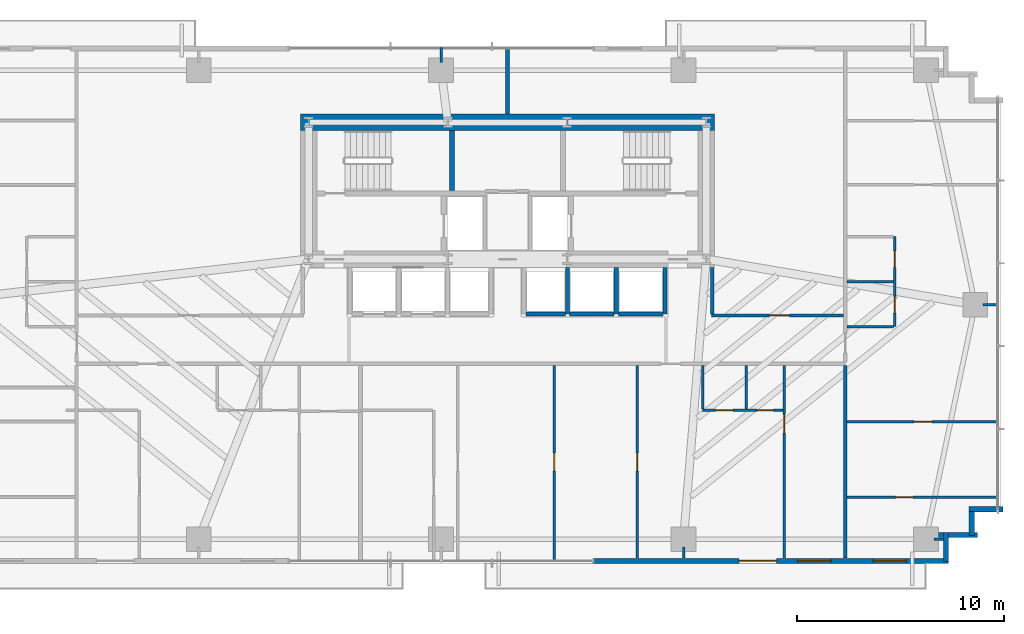
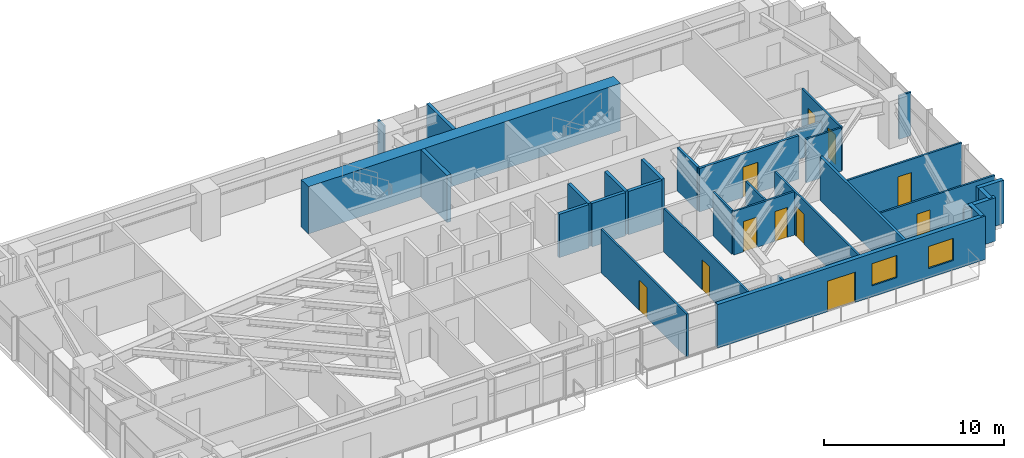
# One storey, part 21 of 25: 32 walls, 11 doors, 2 windows, 13 openings.
"""IFC4 building model written with IfcOpenShell, lengths in metres."""

from ifc_helpers import new_model, si_unit, direction, frame, frame_2d, origin, place, context, subcontext, project, spatial, rectangle, extrude, source, transform, mapped, material, layer, layer_set, type_object, type_shapes, element, fill, save


model = new_model("IFC4")

# Units and contexts
model_context = context("Model", 3, precision=1e-05, world=origin(), true_north=direction((0.0, 1.0)))
body_context = subcontext(model_context, "Body", "Model", "MODEL_VIEW")
ifc_project = project(units=[si_unit("LENGTHUNIT", "METRE"), si_unit("AREAUNIT", "SQUARE_METRE"), si_unit("VOLUMEUNIT", "CUBIC_METRE"), si_unit("PLANEANGLEUNIT", "RADIAN"), si_unit("MASSUNIT", "GRAM", prefix="KILO")], contexts=[model_context])

# Site, building, storey
site_placement = place(None, origin())
site = spatial("IfcSite", under=ifc_project, at=site_placement, CompositionType="ELEMENT")
building_placement = place(site_placement, origin())
building = spatial("IfcBuilding", under=site, at=building_placement, Name="Astriad Promenade Condominiums", CompositionType="ELEMENT")
storey_placement = place(building_placement, frame((0.0, 0.0, 26.199951171875)))
storey = spatial("IfcBuildingStorey", under=building, at=storey_placement, Name="L06", CompositionType="ELEMENT", Elevation=26.199951171875)

# Walls
ifc_material_1 = material(Name="Concrete C80/95", Category="concrete")
ifc_layer_1 = layer(ifc_material_1, 0.800048828125)
ifc_layer_set_1 = layer_set([ifc_layer_1], Name="Concrete C80/95")
wall_type_1 = type_object("IfcWallType", Name="CW-SHEAR-800", PredefinedType="SHEAR", material=ifc_layer_set_1)
wall_1_placement = place(storey_placement, frame((26.0, 24.0, 0.0), z_axis=(0.0, 0.0, 1.0), x_axis=(1.0, 0.0, 0.0)))
element("IfcWall", 1, at=wall_1_placement, inside=storey, type_object=wall_type_1, Name="CW-CORE-N-L06", PredefinedType="SHEAR", context=body_context, shape_type="SweptSolid", body=[
    extrude(rectangle(XDim=20.0, YDim=0.800048828125, at=frame_2d((10.0, 0.0))), origin(), (0.0, 0.0, 1.0), 3.199951171875),
])
ifc_material_2 = material(Name="Concrete C50/60", Category="concrete")
ifc_layer_2 = layer(ifc_material_2, 0.25)
ifc_layer_set_2 = layer_set([ifc_layer_2], Name="Concrete C50/60")
wall_type_2 = type_object("IfcWallType", Name="WALL-CORE-INT-250", PredefinedType="SOLIDWALL", material=ifc_layer_set_2)
wall_2_placement = place(storey_placement, frame((33.324951171875, 20.701904296875, 0.0), z_axis=(0.0, 0.0, 1.0), x_axis=(0.0, 1.0, 0.0)))
element("IfcWall", 2, at=wall_2_placement, inside=storey, type_object=wall_type_2, Name="CW-ST1-E-L06", PredefinedType="SOLIDWALL", context=body_context, shape_type="SweptSolid", body=[
    extrude(rectangle(XDim=2.89599609375, YDim=0.25, at=frame_2d((1.447998046875, 0.0))), origin(), (0.0, 0.0, 1.0), 3.199951171875),
])
ifc_material_3 = material(Name="Fire-Rated Gypsum Partition")
ifc_layer_3 = layer(ifc_material_3, 0.159912109375)
ifc_layer_set_3 = layer_set([ifc_layer_3], Name="Fire-Rated Gypsum Partition")
wall_type_3 = type_object("IfcWallType", Name="WALL-CORR-160", PredefinedType="PARTITIONING", material=ifc_layer_set_3)
wall_3_placement = place(storey_placement, frame((52.300048828125, 2.9619140625, 0.0), z_axis=(0.0, 0.0, 1.0), x_axis=(0.0, 1.0, 0.0)))
element("IfcWall", 3, at=wall_3_placement, inside=storey, type_object=wall_type_3, Name="PT-COR-E-L06", PredefinedType="PARTITIONING", context=body_context, shape_type="SweptSolid", body=[
    extrude(rectangle(XDim=9.30615234375, YDim=0.159912109375, at=frame_2d((4.653076171875, 0.0))), origin(), (0.0, 0.0, 1.0), 2.93994140625),
])

# Wall, opening, door
wall_4_placement = place(storey_placement, frame((45.840087890625, 14.679931640625, 0.0), z_axis=(0.0, 0.0, 1.0), x_axis=(1.0, 0.0, 0.0)))
wall_4 = element("IfcWall", 4, at=wall_4_placement, inside=storey, type_object=wall_type_3, Name="PT-FLK-NE-L06", PredefinedType="PARTITIONING", context=body_context, shape_type="SweptSolid", body=[
    extrude(rectangle(XDim=6.3779296875, YDim=0.159912109375, at=frame_2d((3.18896484375, 0.0))), origin(), (0.0, 0.0, 1.0), 2.93994140625),
])
opening_1_placement = place(wall_4_placement, frame((2.81494140625, 0.0, 0.0)))
opening_1 = element("IfcOpeningElement", 5, at=opening_1_placement, cuts=wall_4, Name="Opening FD60-APT-095", PredefinedType="OPENING", context=body_context, shape_type="SweptSolid", body=[
    extrude(rectangle(XDim=0.949951171875, YDim=2.06005859375, at=frame_2d((0.47509765625, 1.030029296875))), frame((0.0, 0.08984375, 0.0), z_axis=(0.0, -1.0, 0.0), x_axis=(1.0, 0.0, 0.0)), (0.0, 0.0, 1.0), 0.179931640625),
])
ifc_material_4 = material(Name="Solid-Core Acoustic Timber Residence Entry Door", Category="wood")
door_type_1 = type_object("IfcDoorType", Name="FD60-APT-095", OperationType="NOTDEFINED", PredefinedType="DOOR", material=ifc_material_4)
shared_shape_1 = source(origin(), body_context, "Body", "SweptSolid", [
    extrude(rectangle(XDim=0.949951171875, YDim=2.06005859375, at=frame_2d((0.47509765625, 1.030029296875))), frame((0.0, 0.02490234375, 0.0), z_axis=(0.0, -1.0, 0.0), x_axis=(1.0, 0.0, 0.0)), (0.0, 0.0, 1.0), 0.050048828125),
])
type_shapes(door_type_1, [shared_shape_1])
door_1_placement = place(opening_1_placement, origin())
door_1 = element("IfcDoor", 6, at=door_1_placement, inside=storey, type_object=door_type_1, Name="D-NEA-L06", OperationType="SINGLE_SWING_LEFT", OverallHeight=2.06005859375, OverallWidth=0.949951171875, PredefinedType="DOOR", context=body_context, shape_type="MappedRepresentation", body=[
    mapped(shared_shape_1, transform((0.0, 0.0, 0.0), scale=1.0)),
])
fill(opening_1, door_1)

# Walls
wall_5_placement = place(storey_placement, frame((45.8798828125, 14.761962890625, 0.0), z_axis=(0.0, 0.0, 1.0), x_axis=(0.0, 1.0, 0.0)))
element("IfcWall", 7, at=wall_5_placement, inside=storey, type_object=wall_type_3, Name="PT-ESPUR-E-L06", PredefinedType="PARTITIONING", context=body_context, shape_type="SweptSolid", body=[
    extrude(rectangle(XDim=2.236083984375, YDim=0.159912109375, at=frame_2d((1.1181640625, 0.0))), origin(), (0.0, 0.0, 1.0), 2.93994140625),
])
ifc_material_5 = material(Name="Acoustic Double-Stud Gypsum Partition")
ifc_layer_4 = layer(ifc_material_5, 0.199951171875)
ifc_layer_set_4 = layer_set([ifc_layer_4], Name="Acoustic Double-Stud Gypsum Partition")
wall_type_4 = type_object("IfcWallType", Name="WALL-DEMISING-200", PredefinedType="PARTITIONING", material=ifc_layer_set_4)
wall_6_placement = place(storey_placement, frame((36.0, 24.402099609375, 0.0), z_axis=(0.0, 0.0, 1.0), x_axis=(0.0, 1.0, 0.0)))
element("IfcWall", 8, at=wall_6_placement, inside=storey, type_object=wall_type_4, Name="PT-NC-MID-L06", PredefinedType="PARTITIONING", context=body_context, shape_type="SweptSolid", body=[
    extrude(rectangle(XDim=3.218017578125, YDim=0.199951171875, at=frame_2d((1.60888671875, 0.0))), origin(), (0.0, 0.0, 1.0), 2.93994140625),
])
ifc_material_6 = material(Name="Precast concrete C50/60", Category="concrete")
ifc_layer_5 = layer(ifc_material_6, 0.260009765625)
ifc_layer_set_5 = layer_set([ifc_layer_5], Name="Precast concrete C50/60")
wall_type_5 = type_object("IfcWallType", Name="WALL-EXT-TWR-260", PredefinedType="STANDARD", material=ifc_layer_set_5)
wall_7_placement = place(storey_placement, frame((59.929931640625, 5.330078125, 0.0), z_axis=(0.0, 0.0, 1.0), x_axis=(-1.0, 0.0, 0.0)))
element("IfcWall", 9, at=wall_7_placement, inside=storey, type_object=wall_type_5, Name="W-SER-L06-14", PredefinedType="STANDARD", context=body_context, shape_type="SweptSolid", body=[
    extrude(rectangle(XDim=1.639892578125, YDim=0.260009765625, at=frame_2d((0.81982421875, 0.0))), origin(), (0.0, 0.0, 1.0), 2.93994140625),
])
wall_8_placement = place(storey_placement, frame((58.419921875, 5.215087890625, 0.0), z_axis=(0.0, 0.0, 1.0), x_axis=(0.0, -1.0, 0.0)))
element("IfcWall", 10, at=wall_8_placement, inside=storey, type_object=wall_type_5, Name="W-SER-L06-15", PredefinedType="STANDARD", context=body_context, shape_type="SweptSolid", body=[
    extrude(rectangle(XDim=1.150146484375, YDim=0.260009765625, at=frame_2d((0.5751953125, 0.0))), origin(), (0.0, 0.0, 1.0), 2.93994140625),
])
wall_9_placement = place(storey_placement, frame((58.679931640625, 4.080078125, 0.0), z_axis=(0.0, 0.0, 1.0), x_axis=(-1.0, 0.0, 0.0)))
element("IfcWall", 11, at=wall_9_placement, inside=storey, type_object=wall_type_5, Name="W-SER-L06-16", PredefinedType="STANDARD", context=body_context, shape_type="SweptSolid", body=[
    extrude(rectangle(XDim=1.8779296875, YDim=0.260009765625, at=frame_2d((0.93896484375, 0.0))), origin(), (0.0, 0.0, 1.0), 2.93994140625),
])
wall_10_placement = place(storey_placement, frame((57.169921875, 4.2099609375, 0.0), z_axis=(0.0, 0.0, 1.0), x_axis=(0.0, -1.0, 0.0)))
element("IfcWall", 12, at=wall_10_placement, inside=storey, type_object=wall_type_5, Name="W-SER-L06-17", PredefinedType="STANDARD", context=body_context, shape_type="SweptSolid", body=[
    extrude(rectangle(XDim=1.39501953125, YDim=0.260009765625, at=frame_2d((0.697509765625, 0.0))), origin(), (0.0, 0.0, 1.0), 2.93994140625),
])

# Wall, openings, door, windows
wall_11_placement = place(storey_placement, frame((57.300048828125, 2.830078125, 0.0), z_axis=(0.0, 0.0, 1.0), x_axis=(-1.0, 0.0, 0.0)))
wall_11 = element("IfcWall", 13, at=wall_11_placement, inside=storey, type_object=wall_type_5, Name="W-EXT-L06-S1", PredefinedType="STANDARD", context=body_context, shape_type="SweptSolid", body=[
    extrude(rectangle(XDim=17.150146484375, YDim=0.260009765625, at=frame_2d((8.5751953125, 0.0))), origin(), (0.0, 0.0, 1.0), 2.93994140625),
])
opening_2_placement = place(wall_11_placement, frame((8.31396484375, 0.0, 0.0)))
opening_2 = element("IfcOpeningElement", 14, at=opening_2_placement, cuts=wall_11, Name="Opening BD-1822-SLD", PredefinedType="OPENING", context=body_context, shape_type="SweptSolid", body=[
    extrude(rectangle(XDim=1.800048828125, YDim=2.06005859375, at=frame_2d((0.89990234375, 1.030029296875))), frame((0.0, 0.139892578125, 0.0), z_axis=(0.0, -1.0, 0.0), x_axis=(1.0, 0.0, 0.0)), (0.0, 0.0, 1.0), 0.280029296875),
])
opening_3_placement = place(wall_11_placement, frame((2.050048828125, 0.0, 0.64990234375)))
opening_3 = element("IfcOpeningElement", 15, at=opening_3_placement, cuts=wall_11, Name="Opening WIN-TWR-1620", PredefinedType="OPENING", context=body_context, shape_type="SweptSolid", body=[
    extrude(rectangle(XDim=1.60009765625, YDim=1.5, at=frame_2d((0.800048828125, 0.75))), frame((0.0, 0.139892578125, 0.0), z_axis=(0.0, -1.0, 0.0), x_axis=(1.0, 0.0, 0.0)), (0.0, 0.0, 1.0), 0.280029296875),
])
opening_4_placement = place(wall_11_placement, frame((5.675048828125, 0.0, 0.75)))
opening_4 = element("IfcOpeningElement", 16, at=opening_4_placement, cuts=wall_11, Name="Opening WIN-TWR-1620", PredefinedType="OPENING", context=body_context, shape_type="SweptSolid", body=[
    extrude(rectangle(XDim=1.60009765625, YDim=1.5, at=frame_2d((0.800048828125, 0.75))), frame((0.0, 0.139892578125, 0.0), z_axis=(0.0, -1.0, 0.0), x_axis=(1.0, 0.0, 0.0)), (0.0, 0.0, 1.0), 0.280029296875),
])
ifc_material_7 = material(Name="Thermally Broken Aluminium Sliding Balcony Door", Category="aluminium")
door_type_2 = type_object("IfcDoorType", Name="BD-1822-SLD", OperationType="NOTDEFINED", PredefinedType="DOOR", material=ifc_material_7)
shared_shape_2 = source(origin(), body_context, "Body", "SweptSolid", [
    extrude(rectangle(XDim=1.800048828125, YDim=2.06005859375, at=frame_2d((0.89990234375, 1.030029296875))), frame((0.0, 0.02490234375, 0.0), z_axis=(0.0, -1.0, 0.0), x_axis=(1.0, 0.0, 0.0)), (0.0, 0.0, 1.0), 0.050048828125),
])
type_shapes(door_type_2, [shared_shape_2])
door_2_placement = place(opening_2_placement, origin())
door_2 = element("IfcDoor", 17, at=door_2_placement, inside=storey, type_object=door_type_2, Name="BD-L06-SE", OperationType="SLIDING_TO_RIGHT", OverallHeight=2.06005859375, OverallWidth=1.800048828125, PredefinedType="DOOR", context=body_context, shape_type="MappedRepresentation", body=[
    mapped(shared_shape_2, transform((0.0, 0.0, 0.0), scale=1.0)),
])
fill(opening_2, door_2)
ifc_material_8 = material(Name="Dark Tinted Triple-Glazed Aluminium Window", Category="aluminium")
window_type = type_object("IfcWindowType", Name="WIN-TWR-1620", PartitioningType="SINGLE_PANEL", PredefinedType="WINDOW", material=ifc_material_8)
shared_shape_3 = source(origin(), body_context, "Body", "SweptSolid", [
    extrude(rectangle(XDim=1.60009765625, YDim=1.5, at=frame_2d((0.800048828125, 0.75))), frame((0.0, 0.030029296875, 0.0), z_axis=(0.0, -1.0, 0.0), x_axis=(1.0, 0.0, 0.0)), (0.0, 0.0, 1.0), 0.06005859375),
])
type_shapes(window_type, [shared_shape_3])
window_1_placement = place(opening_3_placement, origin())
window_1 = element("IfcWindow", 18, at=window_1_placement, inside=storey, type_object=window_type, Name="WIN-L06-SE", OverallHeight=1.5, OverallWidth=1.60009765625, PartitioningType="SINGLE_PANEL", PredefinedType="WINDOW", context=body_context, shape_type="MappedRepresentation", body=[
    mapped(shared_shape_3, transform((0.0, 0.0, 0.0), scale=1.0)),
])
fill(opening_3, window_1)
window_2_placement = place(opening_4_placement, origin())
window_2 = element("IfcWindow", 19, at=window_2_placement, inside=storey, type_object=window_type, Name="WIN-DW-L06-S2-BD1", OverallHeight=1.5, OverallWidth=1.60009765625, PartitioningType="SINGLE_PANEL", PredefinedType="WINDOW", context=body_context, shape_type="MappedRepresentation", body=[
    mapped(shared_shape_3, transform((0.0, 0.0, 0.0), scale=1.0)),
])
fill(opening_4, window_2)

# Wall, opening, door
ifc_material_9 = material(Name="Acoustic Metal-Stud Gypsum Partition")
ifc_layer_6 = layer(ifc_material_9, 0.1201171875)
ifc_layer_set_6 = layer_set([ifc_layer_6], Name="Acoustic Metal-Stud Gypsum Partition")
wall_type_6 = type_object("IfcWallType", Name="WALL-PART-120", PredefinedType="PARTITIONING", material=ifc_layer_set_6)
wall_12_placement = place(storey_placement, frame((49.3701171875, 2.9619140625, 0.0), z_axis=(0.0, 0.0, 1.0), x_axis=(0.0, 1.0, 0.0)))
wall_12 = element("IfcWall", 20, at=wall_12_placement, inside=storey, type_object=wall_type_6, Name="PT-L06-S2-BD1", PredefinedType="PARTITIONING", context=body_context, shape_type="SweptSolid", body=[
    extrude(rectangle(XDim=9.30615234375, YDim=0.1201171875, at=frame_2d((4.653076171875, 0.0))), origin(), (0.0, 0.0, 1.0), 2.93994140625),
])
opening_5_placement = place(wall_12_placement, frame((6.0380859375, 0.0, 0.0)))
opening_5 = element("IfcOpeningElement", 21, at=opening_5_placement, cuts=wall_12, Name="Opening D-INT-090", PredefinedType="OPENING", context=body_context, shape_type="SweptSolid", body=[
    extrude(rectangle(XDim=0.89990234375, YDim=2.050048828125, at=frame_2d((0.449951171875, 1.02490234375))), frame((0.0, 0.070068359375, 0.0), z_axis=(0.0, -1.0, 0.0), x_axis=(1.0, 0.0, 0.0)), (0.0, 0.0, 1.0), 0.14013671875),
])
ifc_material_10 = material(Name="Painted Solid-Core Timber Bedroom Door", Category="wood")
door_type_3 = type_object("IfcDoorType", Name="D-INT-090", OperationType="NOTDEFINED", PredefinedType="DOOR", material=ifc_material_10)
shared_shape_4 = source(origin(), body_context, "Body", "SweptSolid", [
    extrude(rectangle(XDim=0.89990234375, YDim=2.050048828125, at=frame_2d((0.449951171875, 1.02490234375))), frame((0.0, 0.02490234375, 0.0), z_axis=(0.0, -1.0, 0.0), x_axis=(1.0, 0.0, 0.0)), (0.0, 0.0, 1.0), 0.050048828125),
])
type_shapes(door_type_3, [shared_shape_4])
door_3_placement = place(opening_5_placement, origin())
door_3 = element("IfcDoor", 22, at=door_3_placement, inside=storey, type_object=door_type_3, Name="D-BD1-L06-S2", OperationType="SINGLE_SWING_LEFT", OverallHeight=2.050048828125, OverallWidth=0.89990234375, PredefinedType="DOOR", context=body_context, shape_type="MappedRepresentation", body=[
    mapped(shared_shape_4, transform((0.0, 0.0, 0.0), scale=1.0)),
])
fill(opening_5, door_3)

# Wall, openings, doors
wall_13_placement = place(storey_placement, frame((45.419921875, 10.10009765625, 0.0), z_axis=(0.0, 0.0, 1.0), x_axis=(1.0, 0.0, 0.0)))
wall_13 = element("IfcWall", 23, at=wall_13_placement, inside=storey, type_object=wall_type_6, Name="PT-L06-S2-PS", PredefinedType="PARTITIONING", context=body_context, shape_type="SweptSolid", body=[
    extrude(rectangle(XDim=3.88818359375, YDim=0.1201171875, at=frame_2d((1.944091796875, 0.0))), origin(), (0.0, 0.0, 1.0), 2.93994140625),
])
opening_6_placement = place(wall_13_placement, frame((0.625, 0.0, 0.0)))
opening_6 = element("IfcOpeningElement", 24, at=opening_6_placement, cuts=wall_13, Name="Opening D-INT-085", PredefinedType="OPENING", context=body_context, shape_type="SweptSolid", body=[
    extrude(rectangle(XDim=0.85009765625, YDim=2.050048828125, at=frame_2d((0.425048828125, 1.02490234375))), frame((0.0, 0.070068359375, 0.0), z_axis=(0.0, -1.0, 0.0), x_axis=(1.0, 0.0, 0.0)), (0.0, 0.0, 1.0), 0.14013671875),
])
opening_7_placement = place(wall_13_placement, frame((2.625, 0.0, 0.0)))
opening_7 = element("IfcOpeningElement", 25, at=opening_7_placement, cuts=wall_13, Name="Opening D-WET-080", PredefinedType="OPENING", context=body_context, shape_type="SweptSolid", body=[
    extrude(rectangle(XDim=0.800048828125, YDim=2.02001953125, at=frame_2d((0.39990234375, 1.010009765625))), frame((0.0, 0.070068359375, 0.0), z_axis=(0.0, -1.0, 0.0), x_axis=(1.0, 0.0, 0.0)), (0.0, 0.0, 1.0), 0.14013671875),
])
ifc_material_11 = material(Name="Moisture-Resistant Timber Bathroom Door", Category="wood")
door_type_4 = type_object("IfcDoorType", Name="D-WET-080", OperationType="NOTDEFINED", PredefinedType="DOOR", material=ifc_material_11)
shared_shape_5 = source(origin(), body_context, "Body", "SweptSolid", [
    extrude(rectangle(XDim=0.800048828125, YDim=2.02001953125, at=frame_2d((0.39990234375, 1.010009765625))), frame((0.0, 0.02490234375, 0.0), z_axis=(0.0, -1.0, 0.0), x_axis=(1.0, 0.0, 0.0)), (0.0, 0.0, 1.0), 0.050048828125),
])
type_shapes(door_type_4, [shared_shape_5])
door_4_placement = place(opening_7_placement, origin())
door_4 = element("IfcDoor", 26, at=door_4_placement, inside=storey, type_object=door_type_4, Name="D-BTH-L06-S2", OperationType="SINGLE_SWING_LEFT", OverallHeight=2.02001953125, OverallWidth=0.800048828125, PredefinedType="DOOR", context=body_context, shape_type="MappedRepresentation", body=[
    mapped(shared_shape_5, transform((0.0, 0.0, 0.0), scale=1.0)),
])
fill(opening_7, door_4)
ifc_material_12 = material(Name="Painted Solid-Core Timber Room Door", Category="wood")
door_type_5 = type_object("IfcDoorType", Name="D-INT-085", OperationType="NOTDEFINED", PredefinedType="DOOR", material=ifc_material_12)
shared_shape_6 = source(origin(), body_context, "Body", "SweptSolid", [
    extrude(rectangle(XDim=0.85009765625, YDim=2.050048828125, at=frame_2d((0.425048828125, 1.02490234375))), frame((0.0, 0.02490234375, 0.0), z_axis=(0.0, -1.0, 0.0), x_axis=(1.0, 0.0, 0.0)), (0.0, 0.0, 1.0), 0.050048828125),
])
type_shapes(door_type_5, [shared_shape_6])
door_5_placement = place(opening_6_placement, origin())
door_5 = element("IfcDoor", 27, at=door_5_placement, inside=storey, type_object=door_type_5, Name="D-KIT-L06-S2", OperationType="SINGLE_SWING_RIGHT", OverallHeight=2.050048828125, OverallWidth=0.85009765625, PredefinedType="DOOR", context=body_context, shape_type="MappedRepresentation", body=[
    mapped(shared_shape_6, transform((0.0, 0.0, 0.0), scale=1.0)),
])
fill(opening_6, door_5)

# Walls
for number, where, z_axis, x_axis, name in (
    (28, (47.52001953125, 10.162109375, 0.0), (0.0, 0.0, 1.0), (0.0, 1.0, 0.0), "PT-L06-S2-PBK"),
    (29, (45.419921875, 10.162109375, 0.0), (0.0, 0.0, 1.0), (0.0, 1.0, 0.0), "PT-L06-S2-PKW"),
):
    element("IfcWall", number, at=place(storey_placement, frame(where, z_axis=z_axis, x_axis=x_axis)), inside=storey, type_object=wall_type_6, Name=name, PredefinedType="PARTITIONING", context=body_context, shape_type="SweptSolid", body=[
        extrude(rectangle(XDim=2.10595703125, YDim=0.1201171875, at=frame_2d((1.052978515625, 0.0))), origin(), (0.0, 0.0, 1.0), 2.93994140625),
    ])

# Wall, opening, door
wall_14_placement = place(storey_placement, frame((38.258056640625, 2.780029296875, 0.0), z_axis=(0.0, 0.0, 1.0), x_axis=(0.0, 1.0, 0.0)))
wall_14 = element("IfcWall", 30, at=wall_14_placement, inside=storey, type_object=wall_type_6, Name="PT-L06-S2-CAP2", PredefinedType="PARTITIONING", context=body_context, shape_type="SweptSolid", body=[
    extrude(rectangle(XDim=9.488037109375, YDim=0.1201171875, at=frame_2d((4.744140625, 0.0))), origin(), (0.0, 0.0, 1.0), 2.93994140625),
])
opening_8_placement = place(wall_14_placement, frame((4.39990234375, 0.0, 0.0)))
opening_8 = element("IfcOpeningElement", 31, at=opening_8_placement, cuts=wall_14, Name="Opening D-INT-085", PredefinedType="OPENING", context=body_context, shape_type="SweptSolid", body=[
    extrude(rectangle(XDim=0.85009765625, YDim=2.050048828125, at=frame_2d((0.425048828125, 1.02490234375))), frame((0.0, 0.070068359375, 0.0), z_axis=(0.0, -1.0, 0.0), x_axis=(1.0, 0.0, 0.0)), (0.0, 0.0, 1.0), 0.14013671875),
])
door_6_placement = place(opening_8_placement, origin())
door_6 = element("IfcDoor", 32, at=door_6_placement, inside=storey, type_object=door_type_5, Name="D-CAP2-L06-S2", OperationType="SINGLE_SWING_RIGHT", OverallHeight=2.050048828125, OverallWidth=0.85009765625, PredefinedType="DOOR", context=body_context, shape_type="MappedRepresentation", body=[
    mapped(shared_shape_6, transform((0.0, 0.0, 0.0), scale=1.0)),
])
fill(opening_8, door_6)

wall_15_placement = place(storey_placement, frame((42.27490234375, 2.9619140625, 0.0), z_axis=(0.0, 0.0, 1.0), x_axis=(0.0, 1.0, 0.0)))
wall_15 = element("IfcWall", 33, at=wall_15_placement, inside=storey, type_object=wall_type_6, Name="PT-L06-S2-CAP3", PredefinedType="PARTITIONING", context=body_context, shape_type="SweptSolid", body=[
    extrude(rectangle(XDim=9.30615234375, YDim=0.1201171875, at=frame_2d((4.653076171875, 0.0))), origin(), (0.0, 0.0, 1.0), 2.93994140625),
])
opening_9_placement = place(wall_15_placement, frame((4.218017578125, 0.0, 0.0)))
opening_9 = element("IfcOpeningElement", 34, at=opening_9_placement, cuts=wall_15, Name="Opening D-INT-085", PredefinedType="OPENING", context=body_context, shape_type="SweptSolid", body=[
    extrude(rectangle(XDim=0.85009765625, YDim=2.050048828125, at=frame_2d((0.425048828125, 1.02490234375))), frame((0.0, 0.070068359375, 0.0), z_axis=(0.0, -1.0, 0.0), x_axis=(1.0, 0.0, 0.0)), (0.0, 0.0, 1.0), 0.14013671875),
])
door_7_placement = place(opening_9_placement, origin())
door_7 = element("IfcDoor", 35, at=door_7_placement, inside=storey, type_object=door_type_5, Name="D-CAP3-L06-S2", OperationType="SINGLE_SWING_LEFT", OverallHeight=2.050048828125, OverallWidth=0.85009765625, PredefinedType="DOOR", context=body_context, shape_type="MappedRepresentation", body=[
    mapped(shared_shape_6, transform((0.0, 0.0, 0.0), scale=1.0)),
])
fill(opening_9, door_7)

# Wall, openings, doors
wall_16_placement = place(storey_placement, frame((54.699951171875, 14.135986328125, 0.0), z_axis=(0.0, 0.0, 1.0), x_axis=(0.0, 1.0, 0.0)))
wall_16 = element("IfcWall", 36, at=wall_16_placement, inside=storey, type_object=wall_type_6, Name="PT-L06-E1-PV", PredefinedType="PARTITIONING", context=body_context, shape_type="SweptSolid", body=[
    extrude(rectangle(XDim=4.35009765625, YDim=0.1201171875, at=frame_2d((2.175048828125, 0.0))), origin(), (0.0, 0.0, 1.0), 2.93994140625),
])
opening_10_placement = place(wall_16_placement, frame((0.662109375, 0.0, 0.0)))
opening_10 = element("IfcOpeningElement", 37, at=opening_10_placement, cuts=wall_16, Name="Opening D-ULOW-080", PredefinedType="OPENING", context=body_context, shape_type="SweptSolid", body=[
    extrude(rectangle(XDim=0.800048828125, YDim=2.0, at=frame_2d((0.39990234375, 1.0))), frame((0.0, 0.070068359375, 0.0), z_axis=(0.0, -1.0, 0.0), x_axis=(1.0, 0.0, 0.0)), (0.0, 0.0, 1.0), 0.14013671875),
])
opening_11_placement = place(wall_16_placement, frame((2.862060546875, 0.0, 0.0)))
opening_11 = element("IfcOpeningElement", 38, at=opening_11_placement, cuts=wall_16, Name="Opening D-WET-080", PredefinedType="OPENING", context=body_context, shape_type="SweptSolid", body=[
    extrude(rectangle(XDim=0.800048828125, YDim=2.02001953125, at=frame_2d((0.39990234375, 1.010009765625))), frame((0.0, 0.070068359375, 0.0), z_axis=(0.0, -1.0, 0.0), x_axis=(1.0, 0.0, 0.0)), (0.0, 0.0, 1.0), 0.14013671875),
])
door_8_placement = place(opening_11_placement, origin())
door_8 = element("IfcDoor", 39, at=door_8_placement, inside=storey, type_object=door_type_4, Name="D-BTH-L06-E1", OperationType="SINGLE_SWING_LEFT", OverallHeight=2.02001953125, OverallWidth=0.800048828125, PredefinedType="DOOR", context=body_context, shape_type="MappedRepresentation", body=[
    mapped(shared_shape_5, transform((0.0, 0.0, 0.0), scale=1.0)),
])
fill(opening_11, door_8)
ifc_material_13 = material(Name="Painted Timber Low-Headroom Door", Category="wood")
door_type_6 = type_object("IfcDoorType", Name="D-ULOW-080", OperationType="NOTDEFINED", PredefinedType="DOOR", material=ifc_material_13)
shared_shape_7 = source(origin(), body_context, "Body", "SweptSolid", [
    extrude(rectangle(XDim=0.800048828125, YDim=2.0, at=frame_2d((0.39990234375, 1.0))), frame((0.0, 0.02490234375, 0.0), z_axis=(0.0, -1.0, 0.0), x_axis=(1.0, 0.0, 0.0)), (0.0, 0.0, 1.0), 0.050048828125),
])
type_shapes(door_type_6, [shared_shape_7])
door_9_placement = place(opening_10_placement, origin())
door_9 = element("IfcDoor", 40, at=door_9_placement, inside=storey, type_object=door_type_6, Name="D-KIT-L06-E1", OperationType="SINGLE_SWING_RIGHT", OverallHeight=2.0, OverallWidth=0.800048828125, PredefinedType="DOOR", context=body_context, shape_type="MappedRepresentation", body=[
    mapped(shared_shape_7, transform((0.0, 0.0, 0.0), scale=1.0)),
])
fill(opening_10, door_9)

# Walls
wall_17_placement = place(storey_placement, frame((52.382080078125, 16.31103515625, 0.0), z_axis=(0.0, 0.0, 1.0), x_axis=(1.0, 0.0, 0.0)))
element("IfcWall", 41, at=wall_17_placement, inside=storey, type_object=wall_type_6, Name="PT-L06-E1-PM", PredefinedType="PARTITIONING", context=body_context, shape_type="SweptSolid", body=[
    extrude(rectangle(XDim=2.255859375, YDim=0.1201171875, at=frame_2d((1.1279296875, 0.0))), origin(), (0.0, 0.0, 1.0), 2.044921875),
])
wall_18_placement = place(storey_placement, frame((52.382080078125, 14.135986328125, 0.0), z_axis=(0.0, 0.0, 1.0), x_axis=(1.0, 0.0, 0.0)))
element("IfcWall", 42, at=wall_18_placement, inside=storey, type_object=wall_type_6, Name="PT-L06-E1-PS", PredefinedType="PARTITIONING", context=body_context, shape_type="SweptSolid", body=[
    extrude(rectangle(XDim=2.255859375, YDim=0.1201171875, at=frame_2d((1.1279296875, 0.0))), origin(), (0.0, 0.0, 1.0), 2.93994140625),
])

# Wall, opening, door
wall_19_placement = place(storey_placement, frame((52.382080078125, 5.909912109375, 0.0), z_axis=(0.0, 0.0, 1.0), x_axis=(1.0, 0.0, 0.0)))
wall_19 = element("IfcWall", 43, at=wall_19_placement, inside=storey, type_object=wall_type_6, Name="PT-L06-E1-B2", PredefinedType="PARTITIONING", context=body_context, shape_type="SweptSolid", body=[
    extrude(rectangle(XDim=7.337890625, YDim=0.1201171875, at=frame_2d((3.6689453125, 0.0))), origin(), (0.0, 0.0, 1.0), 2.93994140625),
])
opening_12_placement = place(wall_19_placement, frame((2.340087890625, 0.0, 0.0)))
opening_12 = element("IfcOpeningElement", 44, at=opening_12_placement, cuts=wall_19, Name="Opening D-INT-085", PredefinedType="OPENING", context=body_context, shape_type="SweptSolid", body=[
    extrude(rectangle(XDim=0.85009765625, YDim=2.050048828125, at=frame_2d((0.425048828125, 1.02490234375))), frame((0.0, 0.070068359375, 0.0), z_axis=(0.0, -1.0, 0.0), x_axis=(1.0, 0.0, 0.0)), (0.0, 0.0, 1.0), 0.14013671875),
])
door_10_placement = place(opening_12_placement, origin())
door_10 = element("IfcDoor", 45, at=door_10_placement, inside=storey, type_object=door_type_5, Name="D-BD2-L06-E1", OperationType="SINGLE_SWING_LEFT", OverallHeight=2.050048828125, OverallWidth=0.85009765625, PredefinedType="DOOR", context=body_context, shape_type="MappedRepresentation", body=[
    mapped(shared_shape_6, transform((0.0, 0.0, 0.0), scale=1.0)),
])
fill(opening_12, door_10)

wall_20_placement = place(storey_placement, frame((52.382080078125, 9.553955078125, 0.0), z_axis=(0.0, 0.0, 1.0), x_axis=(1.0, 0.0, 0.0)))
wall_20 = element("IfcWall", 46, at=wall_20_placement, inside=storey, type_object=wall_type_6, Name="PT-L06-E1-WDS1", PredefinedType="PARTITIONING", context=body_context, shape_type="SweptSolid", body=[
    extrude(rectangle(XDim=7.337890625, YDim=0.1201171875, at=frame_2d((3.6689453125, 0.0))), origin(), (0.0, 0.0, 1.0), 2.93994140625),
])
opening_13_placement = place(wall_20_placement, frame((3.2529296875, 0.0, 0.0)))
opening_13 = element("IfcOpeningElement", 47, at=opening_13_placement, cuts=wall_20, Name="Opening D-INT-085", PredefinedType="OPENING", context=body_context, shape_type="SweptSolid", body=[
    extrude(rectangle(XDim=0.85009765625, YDim=2.050048828125, at=frame_2d((0.425048828125, 1.02490234375))), frame((0.0, 0.070068359375, 0.0), z_axis=(0.0, -1.0, 0.0), x_axis=(1.0, 0.0, 0.0)), (0.0, 0.0, 1.0), 0.14013671875),
])
door_11_placement = place(opening_13_placement, origin())
door_11 = element("IfcDoor", 48, at=door_11_placement, inside=storey, type_object=door_type_5, Name="D-WDS1-L06-E1", OperationType="SINGLE_SWING_RIGHT", OverallHeight=2.050048828125, OverallWidth=0.85009765625, PredefinedType="DOOR", context=body_context, shape_type="MappedRepresentation", body=[
    mapped(shared_shape_6, transform((0.0, 0.0, 0.0), scale=1.0)),
])
fill(opening_13, door_11)

# Walls
wall_21_placement = place(storey_placement, frame((44.5, 3.5, 0.0), z_axis=(0.0, 0.0, 1.0), x_axis=(0.0, -1.0, 0.0)))
element("IfcWall", 49, at=wall_21_placement, inside=storey, type_object=wall_type_6, Name="PT-PIL-L06-PC04-11", PredefinedType="PARTITIONING", context=body_context, shape_type="SweptSolid", body=[
    extrude(rectangle(XDim=0.5380859375, YDim=0.1201171875, at=frame_2d((0.26904296875, 0.0))), origin(), (0.0, 0.0, 1.0), 2.93994140625),
])
wall_22_placement = place(storey_placement, frame((56.580078125, 3.8798828125, 0.0), z_axis=(0.0, 0.0, 1.0), x_axis=(1.0, 0.0, 0.0)))
element("IfcWall", 50, at=wall_22_placement, inside=storey, type_object=wall_type_6, Name="PT-PIL-L06-PC05-12", PredefinedType="PARTITIONING", context=body_context, shape_type="SweptSolid", body=[
    extrude(rectangle(XDim=0.4580078125, YDim=0.1201171875, at=frame_2d((0.22900390625, 0.0))), origin(), (0.0, 0.0, 1.0), 2.93994140625),
])
wall_23_placement = place(storey_placement, frame((32.800048828125, 26.89990234375, 0.0), z_axis=(0.0, 0.0, 1.0), x_axis=(0.0, 1.0, 0.0)))
element("IfcWall", 51, at=wall_23_placement, inside=storey, type_object=wall_type_6, Name="PT-PIL-L06-PC08-15", PredefinedType="PARTITIONING", context=body_context, shape_type="SweptSolid", body=[
    extrude(rectangle(XDim=0.72021484375, YDim=0.1201171875, at=frame_2d((0.360107421875, 0.0))), origin(), (0.0, 0.0, 1.0), 2.93994140625),
])
wall_24_placement = place(storey_placement, frame((58.9599609375, 15.199951171875, 0.0), z_axis=(0.0, 0.0, 1.0), x_axis=(1.0, 0.0, 0.0)))
element("IfcWall", 52, at=wall_24_placement, inside=storey, type_object=wall_type_6, Name="PT-PIL-L06-PC12-19", PredefinedType="PARTITIONING", context=body_context, shape_type="SweptSolid", body=[
    extrude(rectangle(XDim=0.760009765625, YDim=0.1201171875, at=frame_2d((0.3798828125, 0.0))), origin(), (0.0, 0.0, 1.0), 2.93994140625),
])
ifc_material_14 = material(Name="Gypsum Shaftliner Assembly")
ifc_layer_7 = layer(ifc_material_14, 0.199951171875)
ifc_layer_set_7 = layer_set([ifc_layer_7], Name="Gypsum Shaftliner Assembly")
wall_type_7 = type_object("IfcWallType", Name="WALL-SHAFT-200", PredefinedType="PARTITIONING", material=ifc_layer_set_7)
wall_25_placement = place(storey_placement, frame((38.89990234375, 14.75, 0.0), z_axis=(0.0, 0.0, 1.0), x_axis=(0.0, 1.0, 0.0)))
element("IfcWall", 53, at=wall_25_placement, inside=storey, type_object=wall_type_7, Name="PL-MH-DIV-L06", PredefinedType="PARTITIONING", context=body_context, shape_type="SweptSolid", body=[
    extrude(rectangle(XDim=2.248046875, YDim=0.199951171875, at=frame_2d((1.1240234375, 0.0))), origin(), (0.0, 0.0, 1.0), 2.93994140625),
])
wall_26_placement = place(storey_placement, frame((36.902099609375, 14.75, 0.0), z_axis=(0.0, 0.0, 1.0), x_axis=(1.0, 0.0, 0.0)))
element("IfcWall", 54, at=wall_26_placement, inside=storey, type_object=wall_type_7, Name="PL-M2-F-L06", PredefinedType="PARTITIONING", context=body_context, shape_type="SweptSolid", body=[
    extrude(rectangle(XDim=1.89599609375, YDim=0.199951171875, at=frame_2d((0.947998046875, 0.0))), origin(), (0.0, 0.0, 1.0), 2.93994140625),
])
for number, where, z_axis, x_axis, name in (
    (55, (41.25, 14.75, 0.0), (0.0, 0.0, 1.0), (0.0, 1.0, 0.0), "PL-H-DIV-L06"),
    (56, (43.60009765625, 14.75, 0.0), (0.0, 0.0, 1.0), (0.0, 1.0, 0.0), "PL-E-OUT-L06"),
):
    element("IfcWall", number, at=place(storey_placement, frame(where, z_axis=z_axis, x_axis=x_axis)), inside=storey, type_object=wall_type_7, Name=name, PredefinedType="PARTITIONING", context=body_context, shape_type="SweptSolid", body=[
        extrude(rectangle(XDim=2.248046875, YDim=0.199951171875, at=frame_2d((1.1240234375, 0.0))), origin(), (0.0, 0.0, 1.0), 2.93994140625),
    ])
for number, where, z_axis, x_axis, name in (
    (57, (39.001953125, 14.75, 0.0), (0.0, 0.0, 1.0), (1.0, 0.0, 0.0), "PL-H-FRT-L06"),
    (58, (41.35205078125, 14.75, 0.0), (0.0, 0.0, 1.0), (1.0, 0.0, 0.0), "PL-H-FRT-L06-S2"),
):
    element("IfcWall", number, at=place(storey_placement, frame(where, z_axis=z_axis, x_axis=x_axis)), inside=storey, type_object=wall_type_7, Name=name, PredefinedType="PARTITIONING", context=body_context, shape_type="SweptSolid", body=[
        extrude(rectangle(XDim=2.14599609375, YDim=0.199951171875, at=frame_2d((1.072998046875, 0.0))), origin(), (0.0, 0.0, 1.0), 2.93994140625),
    ])

save(model, "model.ifc")
